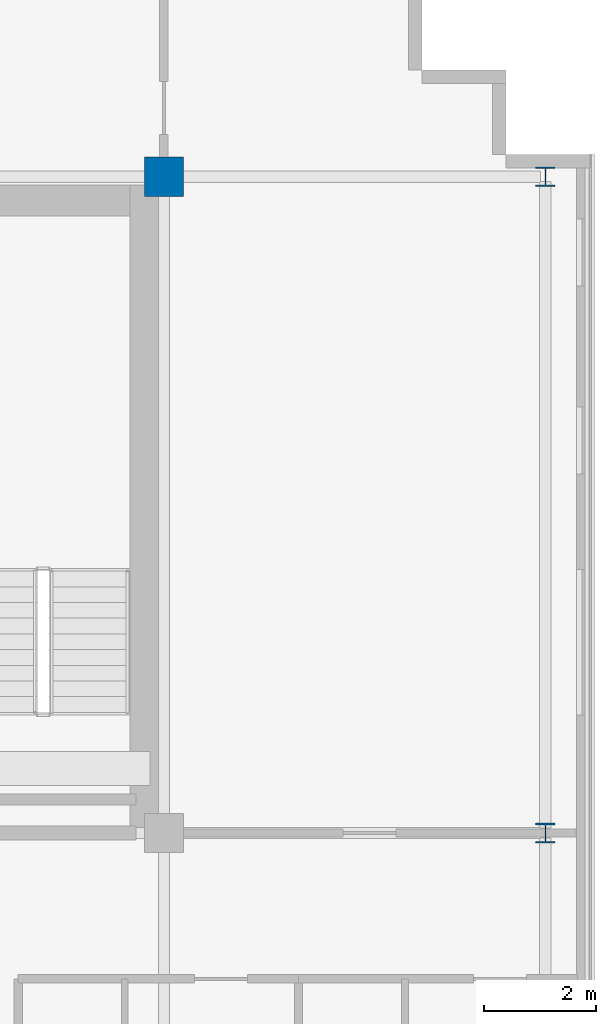
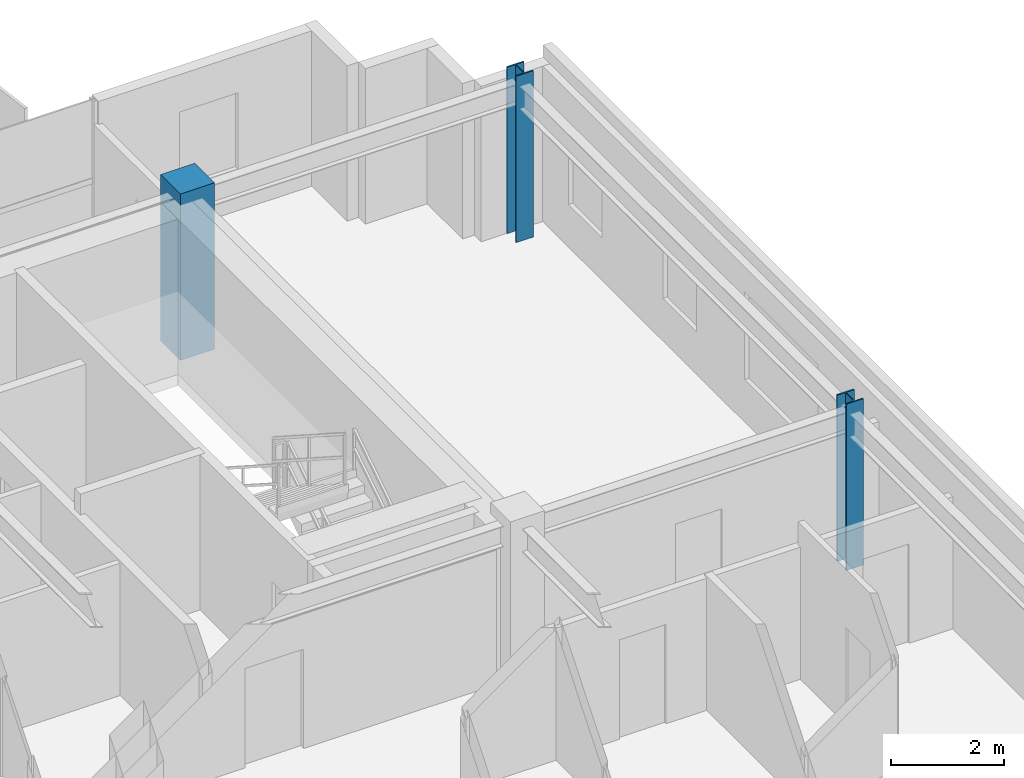
# One storey, part 4 of 35: 3 columns.
"""IFC4 building model written with IfcOpenShell, lengths in metres."""

from ifc_helpers import new_model, si_unit, direction, frame, origin, origin_2d, place, context, subcontext, project, spatial, rectangle, i_section, extrude, source, transform, mapped, material, material_profile, profile_set, type_object, element, save


model = new_model("IFC4")

# Units and contexts
model_context = context("Model", 3, precision=1e-05, world=origin(), true_north=direction((0.0, 1.0)))
body_context = subcontext(model_context, "Body", "Model", "MODEL_VIEW")
ifc_project = project(units=[si_unit("LENGTHUNIT", "METRE"), si_unit("AREAUNIT", "SQUARE_METRE"), si_unit("VOLUMEUNIT", "CUBIC_METRE"), si_unit("PLANEANGLEUNIT", "RADIAN"), si_unit("MASSUNIT", "GRAM", prefix="KILO")], contexts=[model_context])

# Site, building, storey
site_placement = place(None, origin())
site = spatial("IfcSite", under=ifc_project, at=site_placement, CompositionType="ELEMENT")
building_placement = place(site_placement, origin())
building = spatial("IfcBuilding", under=site, at=building_placement, Name="Trelvane Seafront Commons", CompositionType="ELEMENT")
storey_placement = place(building_placement, frame((0.0, 0.0, 194.10009765625)))
storey = spatial("IfcBuildingStorey", under=building, at=storey_placement, Name="L50", CompositionType="ELEMENT", Elevation=194.10009765625)

# Columns
ifc_material_1 = material(Name="Concrete C50/60", Category="concrete")
ifc_material_profile_1 = material_profile(ifc_material_1, rectangle(XDim=0.699951171875, YDim=0.699951171875, at=origin_2d()), Name="RC-700x700")
ifc_profile_set_1 = profile_set([ifc_material_profile_1], Name="Concrete C50/60")
column_type_1 = type_object("IfcColumnType", Name="STR-COL-RC700", PredefinedType="COLUMN", material=ifc_profile_set_1)
shared_shape_1 = source(origin(), body_context, "Body", "SweptSolid", [
    extrude(rectangle(XDim=0.699951171875, YDim=0.699951171875, at=origin_2d()), origin(), (0.0, 0.0, 1.0), 3.599853515625),
])
column_placement = place(storey_placement, frame((58.800048828125, 45.10009765625, 0.0), z_axis=(0.0, 0.0, 1.0), x_axis=(1.0, 0.0, 0.0)))
element("IfcColumn", 1, at=column_placement, inside=storey, type_object=column_type_1, Name="L50 Column TC-CN58.8", PredefinedType="COLUMN", context=body_context, shape_type="MappedRepresentation", body=[
    mapped(shared_shape_1, transform((0.0, 0.0, 0.0), x_axis=(1.0, 0.0, 0.0), y_axis=(0.0, 1.0, 0.0), z_axis=(0.0, 0.0, 1.0), scale=1.0)),
])
ifc_material_2 = material(Name="Steel SM355 (S355)", Category="steel")
ifc_material_profile_2 = material_profile(ifc_material_2, i_section(OverallWidth=0.35009765625, OverallDepth=0.35009765625, WebThickness=0.01806640625, FlangeThickness=0.028076171875, at=origin_2d()), Name="HD-350x350x18x28")
ifc_profile_set_2 = profile_set([ifc_material_profile_2], Name="Steel SM355 (S355)")
column_type_2 = type_object("IfcColumnType", Name="STR-COL-HD350", PredefinedType="COLUMN", material=ifc_profile_set_2)
shared_shape_2 = source(origin(), body_context, "Body", "SweptSolid", [
    extrude(i_section(OverallWidth=0.35009765625, OverallDepth=0.35009765625, WebThickness=0.01806640625, FlangeThickness=0.028076171875, at=origin_2d()), origin(), (0.0, 0.0, 1.0), 3.599853515625),
])
for number, where, z_axis, x_axis, name in (
    (2, (65.60009765625, 33.39990234375, 0.0), (0.0, 0.0, 1.0), (1.0, 0.0, 0.0), "L50 Column TC-CS65.6"),
    (3, (65.60009765625, 45.10009765625, 0.0), (0.0, 0.0, 1.0), (1.0, 0.0, 0.0), "L50 Column TC-CN65.6"),
):
    element("IfcColumn", number, at=place(storey_placement, frame(where, z_axis=z_axis, x_axis=x_axis)), inside=storey, type_object=column_type_2, Name=name, PredefinedType="COLUMN", context=body_context, shape_type="MappedRepresentation", body=[
        mapped(shared_shape_2, transform((0.0, 0.0, 0.0), x_axis=(1.0, 0.0, 0.0), y_axis=(0.0, 1.0, 0.0), z_axis=(0.0, 0.0, 1.0), scale=1.0)),
    ])

save(model, "model.ifc")
